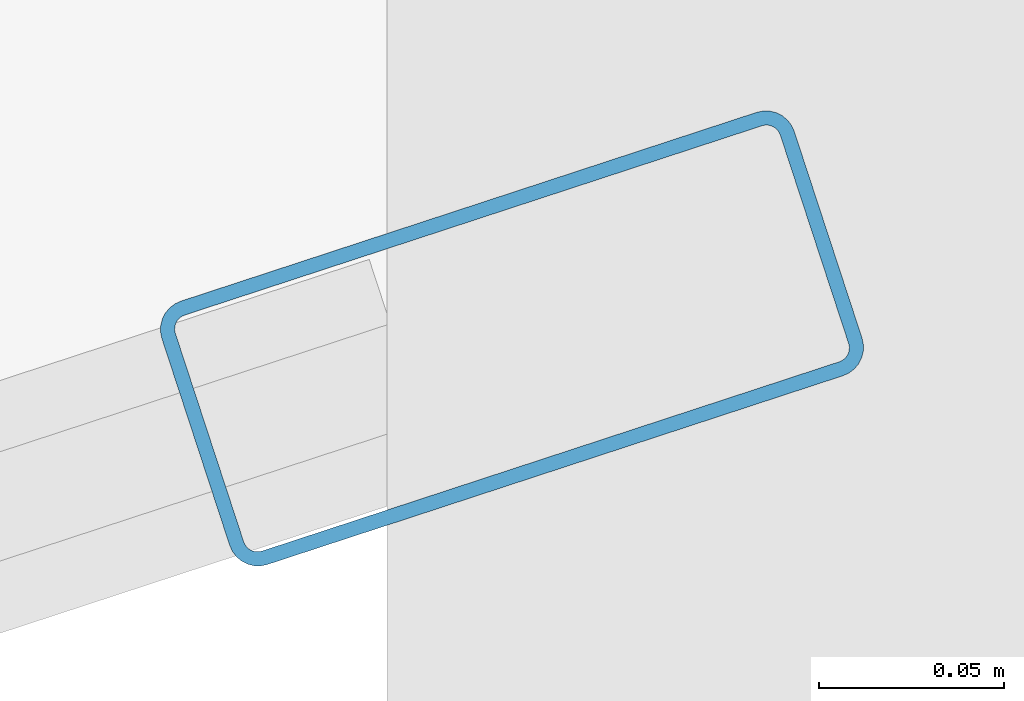
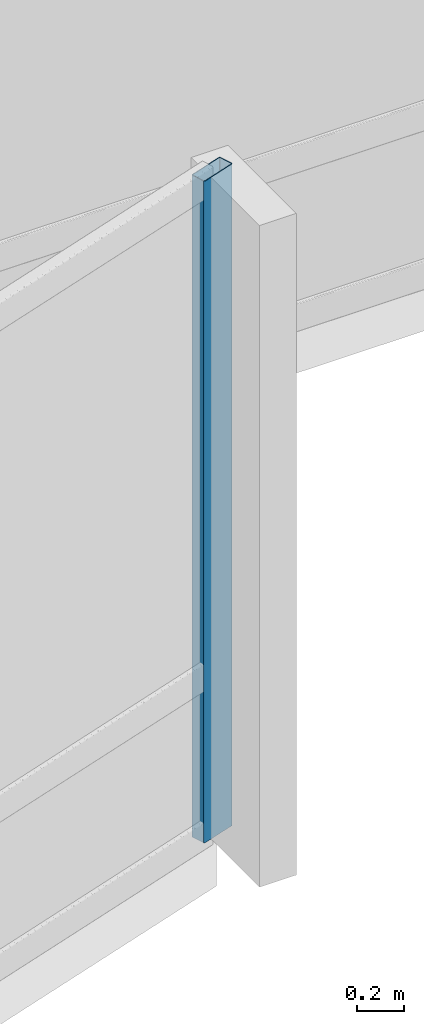
# One storey, part 10 of 34: 1 member, 1 element without a shape of its own.
"""IFC4 building model written with IfcOpenShell, lengths in metres."""

from ifc_helpers import new_model, si_unit, direction, frame, origin, origin_2d, place, context, subcontext, project, spatial, hollow_rectangle, extrude, material, layer, layer_set, material_profile, profile_set, type_object, element, aggregate, save


model = new_model("IFC4")

# Units and contexts
model_context = context("Model", 3, precision=1e-05, world=origin(), true_north=direction((0.0, 1.0)))
body_context = subcontext(model_context, "Body", "Model", "MODEL_VIEW")
ifc_project = project(units=[si_unit("LENGTHUNIT", "METRE"), si_unit("AREAUNIT", "SQUARE_METRE"), si_unit("VOLUMEUNIT", "CUBIC_METRE"), si_unit("PLANEANGLEUNIT", "RADIAN"), si_unit("MASSUNIT", "GRAM", prefix="KILO")], contexts=[model_context])

# Site, building, storey
site_placement = place(None, origin())
site = spatial("IfcSite", under=ifc_project, at=site_placement, CompositionType="ELEMENT")
building_placement = place(site_placement, origin())
building = spatial("IfcBuilding", under=site, at=building_placement, Name="Solvaryn Broadcast Tower", CompositionType="ELEMENT")
storey_placement = place(building_placement, frame((0.0, 0.0, 54.5)))
storey = spatial("IfcBuildingStorey", under=building, at=storey_placement, Name="L12", CompositionType="ELEMENT", Elevation=54.5)

# Curtain wall, member
ifc_material_1 = material(Name="Aluminium and Terracotta Unitised Curtain Wall", Category="masonry")
ifc_layer = layer(ifc_material_1, 0.199951171875)
ifc_layer_set = layer_set([ifc_layer], Name="CW-SYS2-LOWMID")
curtain_wall_type = type_object("IfcCurtainWallType", Name="CW-SYS2-LOWMID", PredefinedType="NOTDEFINED", material=ifc_layer_set)
curtain_wall_placement = place(storey_placement, origin())
curtain_wall = element("IfcCurtainWall", 1, at=curtain_wall_placement, inside=storey, type_object=curtain_wall_type, Name="L12 Curtain Wall DR4", PredefinedType="NOTDEFINED")
ifc_material_2 = material(Name="Anodised Aluminium 6063-T6", Category="aluminium")
ifc_material_profile = material_profile(ifc_material_2, hollow_rectangle(XDim=0.074951171875, YDim=0.179931640625, WallThickness=0.00390625, InnerFilletRadius=0.00390625, OuterFilletRadius=0.008056640625, at=origin_2d()))
ifc_profile_set = profile_set([ifc_material_profile], Name="Anodised Aluminium 6063-T6")
member_type = type_object("IfcMemberType", Name="CW-MUL-180", PredefinedType="MULLION", material=ifc_profile_set)
member_placement = place(storey_placement, frame((45.987548828125, 5.90673828125, 0.0), z_axis=(0.0, 0.0, 1.0), x_axis=(-0.311594044587, 0.950215318429, 0.0)))
member = element("IfcMember", 2, at=member_placement, type_object=member_type, Name="CWS2 mullion 2", PredefinedType="MULLION", context=body_context, shape_type="SweptSolid", body=[
    extrude(hollow_rectangle(XDim=0.074951171875, YDim=0.179931640625, WallThickness=0.00390625, InnerFilletRadius=0.00390625, OuterFilletRadius=0.008056640625, at=origin_2d()), origin(), (0.0, 0.0, 1.0), 3.419921875),
])
aggregate(curtain_wall, [member])

save(model, "model.ifc")
